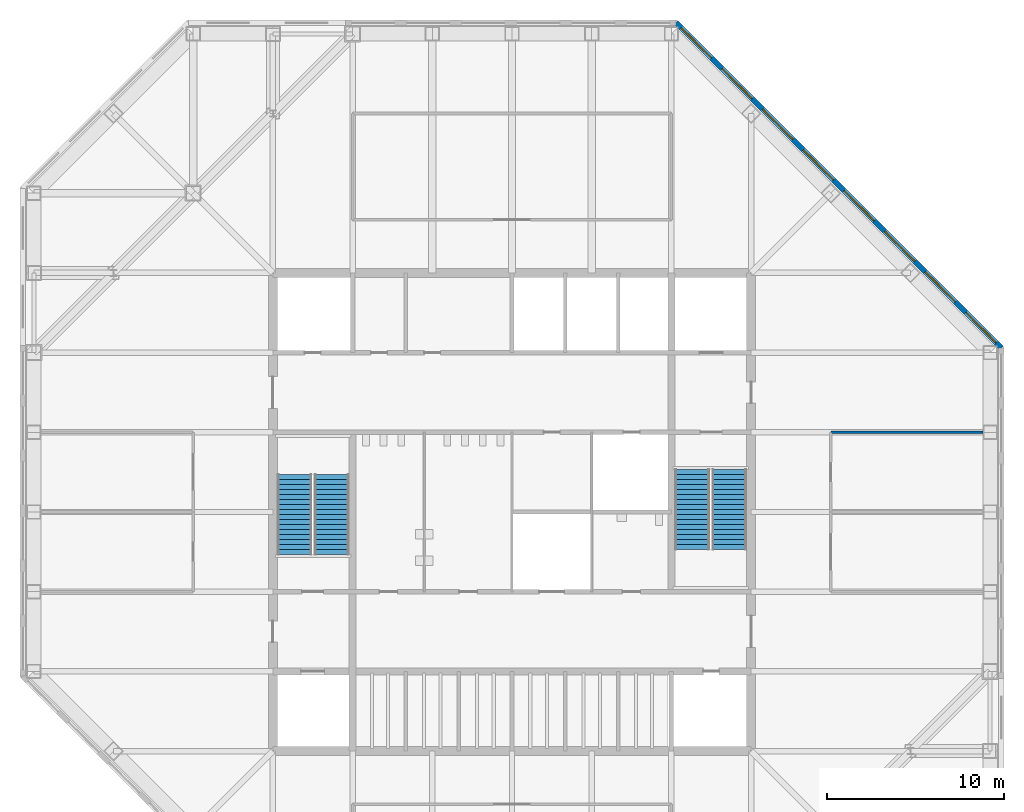
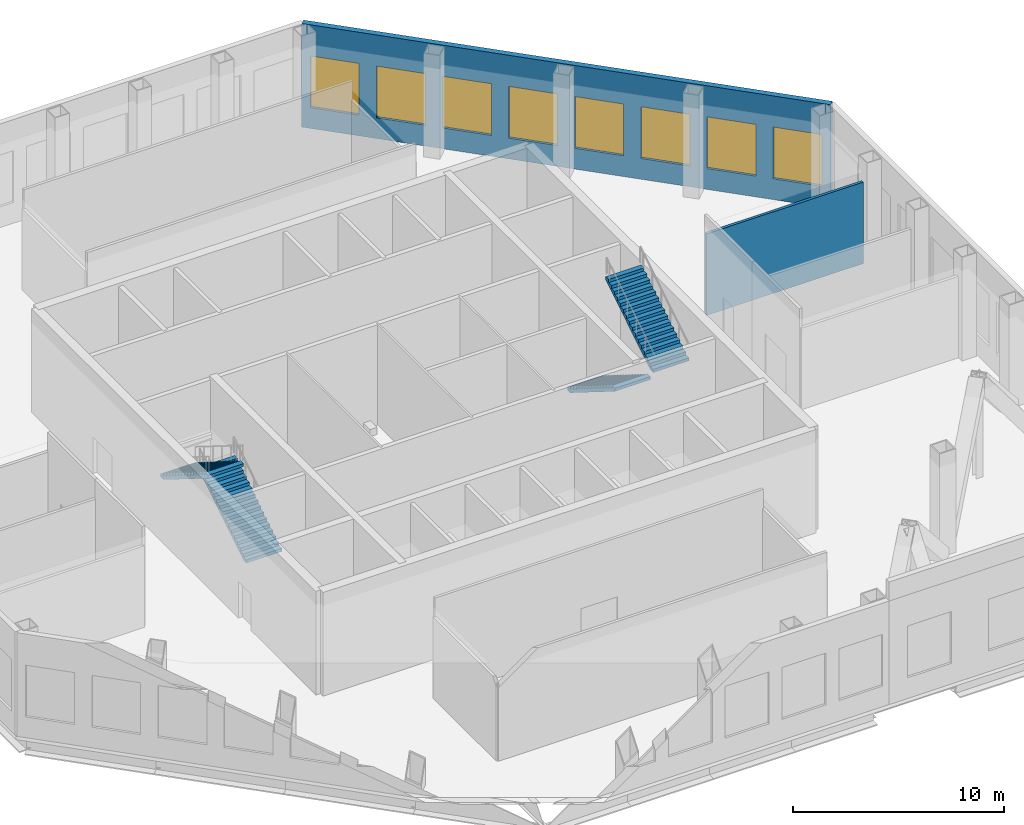
# One storey, part 8 of 10: 8 windows, 4 stair flights, 2 walls, 8 openings, 2 elements without a shape of their own.
"""IFC4 building model written with IfcOpenShell, lengths in metres."""

from ifc_helpers import new_model, si_unit, direction, frame, frame_2d, origin, place, context, subcontext, project, spatial, polyline, rectangle, outline, extrude, material, layer, layer_set, type_object, element, fill, aggregate, save


model = new_model("IFC4")

# Units and contexts
model_context = context("Model", 3, precision=1e-05, world=origin(), true_north=direction((0.0, 1.0)))
body_context = subcontext(model_context, "Body", "Model", "MODEL_VIEW")
ifc_project = project(units=[si_unit("LENGTHUNIT", "METRE"), si_unit("AREAUNIT", "SQUARE_METRE"), si_unit("VOLUMEUNIT", "CUBIC_METRE"), si_unit("PLANEANGLEUNIT", "RADIAN"), si_unit("MASSUNIT", "GRAM", prefix="KILO")], contexts=[model_context])

# Site, building, storey
site_placement = place(None, origin())
site = spatial("IfcSite", under=ifc_project, at=site_placement, CompositionType="ELEMENT")
building_placement = place(site_placement, origin())
building = spatial("IfcBuilding", under=site, at=building_placement, Name="Corais Broadcast Tower", CompositionType="ELEMENT")
storey_placement = place(building_placement, frame((0.0, 0.0, 199.60009765625)))
storey = spatial("IfcBuildingStorey", under=building, at=storey_placement, Name="L46", CompositionType="ELEMENT", Elevation=199.60009765625)

# Wall
ifc_material_1 = material(Name="Gypsum board on steel studs", Category="steel")
ifc_layer_1 = layer(ifc_material_1, 0.14990234375)
ifc_layer_set_1 = layer_set([ifc_layer_1], Name="Gypsum board on steel studs")
wall_type_1 = type_object("IfcWallType", Name="Partition 150", PredefinedType="PARTITIONING", material=ifc_layer_set_1)
wall_1_placement = place(storey_placement, frame((53.590087890625, 31.5, 0.0), z_axis=(0.0, 0.0, 1.0), x_axis=(-1.0, 0.0, 0.0)))
element("IfcWall", 1, at=wall_1_placement, inside=storey, type_object=wall_type_1, Name="IW3 partition L46", PredefinedType="PARTITIONING", context=body_context, shape_type="SweptSolid", body=[
    extrude(rectangle(XDim=8.590087890625, YDim=0.14990234375, at=frame_2d((4.294921875, 0.0))), origin(), (0.0, 0.0, 1.0), 4.719970703125),
])

# Wall, openings, windows
ifc_material_2 = material(Name="Precast concrete C40/50", Category="concrete")
ifc_layer_2 = layer(ifc_material_2, 0.300048828125)
ifc_layer_set_2 = layer_set([ifc_layer_2], Name="Precast concrete C40/50")
wall_type_2 = type_object("IfcWallType", Name="Stone-faced precast wall 300", PredefinedType="SOLIDWALL", material=ifc_layer_set_2)
wall_2_placement = place(storey_placement, frame((36.260986328125, 54.6298828125, 0.0), z_axis=(0.0, 0.0, 1.0), x_axis=(0.707106781187, -0.707106781187, 0.0)))
wall_2 = element("IfcWall", 2, at=wall_2_placement, inside=storey, type_object=wall_type_2, Name="EW1 external wall L46 5", PredefinedType="SOLIDWALL", context=body_context, shape_type="SweptSolid", body=[
    extrude(rectangle(XDim=25.9775390625, YDim=0.300048828125, at=frame_2d((12.98876953125, 0.0))), origin(), (0.0, 0.0, 1.0), 6.0),
])
opening_1_placement = place(wall_2_placement, frame((0.423583984375, 0.0, 1.199951171875)))
opening_1 = element("IfcOpeningElement", 3, at=opening_1_placement, cuts=wall_2, Name="Opening LV1", PredefinedType="OPENING", context=body_context, shape_type="SweptSolid", body=[
    extrude(rectangle(XDim=2.39990234375, YDim=3.0, at=frame_2d((1.199951171875, 1.5))), frame((0.0, 0.159912109375, 0.0), z_axis=(0.0, -1.0, 0.0), x_axis=(1.0, 0.0, 0.0)), (0.0, 0.0, 1.0), 0.320068359375),
])
opening_2_placement = place(wall_2_placement, frame((3.6708984375, 0.0, 1.199951171875)))
opening_2 = element("IfcOpeningElement", 4, at=opening_2_placement, cuts=wall_2, Name="Opening LV1", PredefinedType="OPENING", context=body_context, shape_type="SweptSolid", body=[
    extrude(rectangle(XDim=2.39990234375, YDim=3.0, at=frame_2d((1.199951171875, 1.5))), frame((0.0, 0.159912109375, 0.0), z_axis=(0.0, -1.0, 0.0), x_axis=(1.0, 0.0, 0.0)), (0.0, 0.0, 1.0), 0.320068359375),
])
opening_3_placement = place(wall_2_placement, frame((6.91796875, 0.0, 1.199951171875)))
opening_3 = element("IfcOpeningElement", 5, at=opening_3_placement, cuts=wall_2, Name="Opening LV1", PredefinedType="OPENING", context=body_context, shape_type="SweptSolid", body=[
    extrude(rectangle(XDim=2.39990234375, YDim=3.0, at=frame_2d((1.199951171875, 1.5))), frame((0.0, 0.159912109375, 0.0), z_axis=(0.0, -1.0, 0.0), x_axis=(1.0, 0.0, 0.0)), (0.0, 0.0, 1.0), 0.320068359375),
])
opening_4_placement = place(wall_2_placement, frame((10.165283203125, 0.0, 1.199951171875)))
opening_4 = element("IfcOpeningElement", 6, at=opening_4_placement, cuts=wall_2, Name="Opening LV1", PredefinedType="OPENING", context=body_context, shape_type="SweptSolid", body=[
    extrude(rectangle(XDim=2.39990234375, YDim=3.0, at=frame_2d((1.199951171875, 1.5))), frame((0.0, 0.159912109375, 0.0), z_axis=(0.0, -1.0, 0.0), x_axis=(1.0, 0.0, 0.0)), (0.0, 0.0, 1.0), 0.320068359375),
])
opening_5_placement = place(wall_2_placement, frame((13.412353515625, 0.0, 1.199951171875)))
opening_5 = element("IfcOpeningElement", 7, at=opening_5_placement, cuts=wall_2, Name="Opening LV1", PredefinedType="OPENING", context=body_context, shape_type="SweptSolid", body=[
    extrude(rectangle(XDim=2.39990234375, YDim=3.0, at=frame_2d((1.199951171875, 1.5))), frame((0.0, 0.159912109375, 0.0), z_axis=(0.0, -1.0, 0.0), x_axis=(1.0, 0.0, 0.0)), (0.0, 0.0, 1.0), 0.320068359375),
])
opening_6_placement = place(wall_2_placement, frame((16.65966796875, 0.0, 1.199951171875)))
opening_6 = element("IfcOpeningElement", 8, at=opening_6_placement, cuts=wall_2, Name="Opening LV1", PredefinedType="OPENING", context=body_context, shape_type="SweptSolid", body=[
    extrude(rectangle(XDim=2.39990234375, YDim=3.0, at=frame_2d((1.199951171875, 1.5))), frame((0.0, 0.159912109375, 0.0), z_axis=(0.0, -1.0, 0.0), x_axis=(1.0, 0.0, 0.0)), (0.0, 0.0, 1.0), 0.320068359375),
])
opening_7_placement = place(wall_2_placement, frame((19.906982421875, 0.0, 1.199951171875)))
opening_7 = element("IfcOpeningElement", 9, at=opening_7_placement, cuts=wall_2, Name="Opening LV1", PredefinedType="OPENING", context=body_context, shape_type="SweptSolid", body=[
    extrude(rectangle(XDim=2.39990234375, YDim=3.0, at=frame_2d((1.199951171875, 1.5))), frame((0.0, 0.159912109375, 0.0), z_axis=(0.0, -1.0, 0.0), x_axis=(1.0, 0.0, 0.0)), (0.0, 0.0, 1.0), 0.320068359375),
])
opening_8_placement = place(wall_2_placement, frame((23.154052734375, 0.0, 1.199951171875)))
opening_8 = element("IfcOpeningElement", 10, at=opening_8_placement, cuts=wall_2, Name="Opening LV1", PredefinedType="OPENING", context=body_context, shape_type="SweptSolid", body=[
    extrude(rectangle(XDim=2.39990234375, YDim=3.0, at=frame_2d((1.199951171875, 1.5))), frame((0.0, 0.159912109375, 0.0), z_axis=(0.0, -1.0, 0.0), x_axis=(1.0, 0.0, 0.0)), (0.0, 0.0, 1.0), 0.320068359375),
])
ifc_material_3 = material(Name="Aluminium frame", Category="aluminium")
window_type = type_object("IfcWindowType", Name="Plant louvre 2400x3000", PartitioningType="SINGLE_PANEL", PredefinedType="USERDEFINED", material=ifc_material_3)
window_1_placement = place(opening_1_placement, origin())
window_1 = element("IfcWindow", 11, at=window_1_placement, inside=storey, type_object=window_type, Name="LV1 window L46", ObjectType="LOUVRE", OverallHeight=3.0, OverallWidth=2.39990234375, PartitioningType="SINGLE_PANEL", PredefinedType="USERDEFINED", context=body_context, shape_type="SweptSolid", body=[
    extrude(rectangle(XDim=2.39990234375, YDim=3.0, at=frame_2d((1.199951171875, 1.5))), frame((0.0, 0.030029296875, 0.0), z_axis=(0.0, -1.0, 0.0), x_axis=(1.0, 0.0, 0.0)), (0.0, 0.0, 1.0), 0.06005859375),
])
fill(opening_1, window_1)
window_2_placement = place(opening_2_placement, origin())
window_2 = element("IfcWindow", 12, at=window_2_placement, inside=storey, type_object=window_type, Name="LV1 window L46", ObjectType="LOUVRE", OverallHeight=3.0, OverallWidth=2.39990234375, PartitioningType="SINGLE_PANEL", PredefinedType="USERDEFINED", context=body_context, shape_type="SweptSolid", body=[
    extrude(rectangle(XDim=2.39990234375, YDim=3.0, at=frame_2d((1.199951171875, 1.5))), frame((0.0, 0.030029296875, 0.0), z_axis=(0.0, -1.0, 0.0), x_axis=(1.0, 0.0, 0.0)), (0.0, 0.0, 1.0), 0.06005859375),
])
fill(opening_2, window_2)
window_3_placement = place(opening_3_placement, origin())
window_3 = element("IfcWindow", 13, at=window_3_placement, inside=storey, type_object=window_type, Name="LV1 window L46", ObjectType="LOUVRE", OverallHeight=3.0, OverallWidth=2.39990234375, PartitioningType="SINGLE_PANEL", PredefinedType="USERDEFINED", context=body_context, shape_type="SweptSolid", body=[
    extrude(rectangle(XDim=2.39990234375, YDim=3.0, at=frame_2d((1.199951171875, 1.5))), frame((0.0, 0.030029296875, 0.0), z_axis=(0.0, -1.0, 0.0), x_axis=(1.0, 0.0, 0.0)), (0.0, 0.0, 1.0), 0.06005859375),
])
fill(opening_3, window_3)
window_4_placement = place(opening_4_placement, origin())
window_4 = element("IfcWindow", 14, at=window_4_placement, inside=storey, type_object=window_type, Name="LV1 window L46", ObjectType="LOUVRE", OverallHeight=3.0, OverallWidth=2.39990234375, PartitioningType="SINGLE_PANEL", PredefinedType="USERDEFINED", context=body_context, shape_type="SweptSolid", body=[
    extrude(rectangle(XDim=2.39990234375, YDim=3.0, at=frame_2d((1.199951171875, 1.5))), frame((0.0, 0.030029296875, 0.0), z_axis=(0.0, -1.0, 0.0), x_axis=(1.0, 0.0, 0.0)), (0.0, 0.0, 1.0), 0.06005859375),
])
fill(opening_4, window_4)
window_5_placement = place(opening_5_placement, origin())
window_5 = element("IfcWindow", 15, at=window_5_placement, inside=storey, type_object=window_type, Name="LV1 window L46", ObjectType="LOUVRE", OverallHeight=3.0, OverallWidth=2.39990234375, PartitioningType="SINGLE_PANEL", PredefinedType="USERDEFINED", context=body_context, shape_type="SweptSolid", body=[
    extrude(rectangle(XDim=2.39990234375, YDim=3.0, at=frame_2d((1.199951171875, 1.5))), frame((0.0, 0.030029296875, 0.0), z_axis=(0.0, -1.0, 0.0), x_axis=(1.0, 0.0, 0.0)), (0.0, 0.0, 1.0), 0.06005859375),
])
fill(opening_5, window_5)
window_6_placement = place(opening_6_placement, origin())
window_6 = element("IfcWindow", 16, at=window_6_placement, inside=storey, type_object=window_type, Name="LV1 window L46", ObjectType="LOUVRE", OverallHeight=3.0, OverallWidth=2.39990234375, PartitioningType="SINGLE_PANEL", PredefinedType="USERDEFINED", context=body_context, shape_type="SweptSolid", body=[
    extrude(rectangle(XDim=2.39990234375, YDim=3.0, at=frame_2d((1.199951171875, 1.5))), frame((0.0, 0.030029296875, 0.0), z_axis=(0.0, -1.0, 0.0), x_axis=(1.0, 0.0, 0.0)), (0.0, 0.0, 1.0), 0.06005859375),
])
fill(opening_6, window_6)
window_7_placement = place(opening_7_placement, origin())
window_7 = element("IfcWindow", 17, at=window_7_placement, inside=storey, type_object=window_type, Name="LV1 window L46", ObjectType="LOUVRE", OverallHeight=3.0, OverallWidth=2.39990234375, PartitioningType="SINGLE_PANEL", PredefinedType="USERDEFINED", context=body_context, shape_type="SweptSolid", body=[
    extrude(rectangle(XDim=2.39990234375, YDim=3.0, at=frame_2d((1.199951171875, 1.5))), frame((0.0, 0.030029296875, 0.0), z_axis=(0.0, -1.0, 0.0), x_axis=(1.0, 0.0, 0.0)), (0.0, 0.0, 1.0), 0.06005859375),
])
fill(opening_7, window_7)
window_8_placement = place(opening_8_placement, origin())
window_8 = element("IfcWindow", 18, at=window_8_placement, inside=storey, type_object=window_type, Name="LV1 window L46", ObjectType="LOUVRE", OverallHeight=3.0, OverallWidth=2.39990234375, PartitioningType="SINGLE_PANEL", PredefinedType="USERDEFINED", context=body_context, shape_type="SweptSolid", body=[
    extrude(rectangle(XDim=2.39990234375, YDim=3.0, at=frame_2d((1.199951171875, 1.5))), frame((0.0, 0.030029296875, 0.0), z_axis=(0.0, -1.0, 0.0), x_axis=(1.0, 0.0, 0.0)), (0.0, 0.0, 1.0), 0.06005859375),
])
fill(opening_8, window_8)

# Stair, stair flights
ifc_material_4 = material(Name="Concrete C30/37", Category="concrete")
stair_type = type_object("IfcStairType", Name="Half-turn stair 6000", PredefinedType="HALF_TURN_STAIR", material=ifc_material_4)
stair_1_placement = place(storey_placement, origin())
stair_1 = element("IfcStair", 19, at=stair_1_placement, inside=storey, type_object=stair_type, Name="Stair A L46", PredefinedType="HALF_TURN_STAIR")
ifc_material_5 = material(Name="Concrete C30/37", Category="concrete")
stair_flight_type = type_object("IfcStairFlightType", Name="Stair flight 6000", PredefinedType="STRAIGHT", material=ifc_material_5)
stair_flight_1_placement = place(storey_placement, frame((16.824951171875, 24.60009765625, 0.0), z_axis=(0.0, 0.0, 1.0), x_axis=(0.0, 1.0, 0.0)))
stair_flight_1 = element("IfcStairFlight", 20, at=stair_flight_1_placement, type_object=stair_flight_type, Name="STA flight 1", NumberOfRisers=17, NumberOfTreads=16, PredefinedType="STRAIGHT", RiserHeight=0.176470588, TreadLength=0.282, context=body_context, shape_type="SweptSolid", body=[
    extrude(outline(polyline([(0.0, 0.0), (0.0, 0.176513671875), (0.281982421875, 0.176513671875), (0.281982421875, 0.35302734375), (0.56396484375, 0.35302734375), (0.56396484375, 0.529296875), (0.845947265625, 0.529296875), (0.845947265625, 0.705810546875), (1.1279296875, 0.705810546875), (1.1279296875, 0.88232421875), (1.409912109375, 0.88232421875), (1.409912109375, 1.058837890625), (1.69189453125, 1.058837890625), (1.69189453125, 1.2353515625), (1.97412109375, 1.2353515625), (1.97412109375, 1.411865234375), (2.256103515625, 1.411865234375), (2.256103515625, 1.588134765625), (2.5380859375, 1.588134765625), (2.5380859375, 1.7646484375), (2.820068359375, 1.7646484375), (2.820068359375, 1.941162109375), (3.10205078125, 1.941162109375), (3.10205078125, 2.11767578125), (3.384033203125, 2.11767578125), (3.384033203125, 2.294189453125), (3.666015625, 2.294189453125), (3.666015625, 2.470703125), (3.947998046875, 2.470703125), (3.947998046875, 2.64697265625), (4.22998046875, 2.64697265625), (4.22998046875, 2.823486328125), (4.511962890625, 2.823486328125), (4.511962890625, 3.0), (4.511962890625, 2.646728515625), (0.282470703125, 0.0), (0.0, 0.0)])), frame((0.0, 0.97509765625, 0.0), z_axis=(0.0, -1.0, 0.0), x_axis=(1.0, 0.0, 0.0)), (0.0, 0.0, 1.0), 1.949951171875),
])
stair_flight_2_placement = place(storey_placement, frame((14.72509765625, 29.112060546875, 3.0), z_axis=(0.0, 0.0, 1.0), x_axis=(0.0, -1.0, 0.0)))
stair_flight_2 = element("IfcStairFlight", 21, at=stair_flight_2_placement, type_object=stair_flight_type, Name="STA flight 2", NumberOfRisers=17, NumberOfTreads=16, PredefinedType="STRAIGHT", RiserHeight=0.176470588, TreadLength=0.282, context=body_context, shape_type="SweptSolid", body=[
    extrude(outline(polyline([(0.0, 0.0), (0.0, 0.176513671875), (0.281982421875, 0.176513671875), (0.281982421875, 0.35302734375), (0.56396484375, 0.35302734375), (0.56396484375, 0.529296875), (0.845947265625, 0.529296875), (0.845947265625, 0.705810546875), (1.1279296875, 0.705810546875), (1.1279296875, 0.88232421875), (1.409912109375, 0.88232421875), (1.409912109375, 1.058837890625), (1.69189453125, 1.058837890625), (1.69189453125, 1.2353515625), (1.97412109375, 1.2353515625), (1.97412109375, 1.411865234375), (2.256103515625, 1.411865234375), (2.256103515625, 1.588134765625), (2.5380859375, 1.588134765625), (2.5380859375, 1.7646484375), (2.820068359375, 1.7646484375), (2.820068359375, 1.941162109375), (3.10205078125, 1.941162109375), (3.10205078125, 2.11767578125), (3.384033203125, 2.11767578125), (3.384033203125, 2.294189453125), (3.666015625, 2.294189453125), (3.666015625, 2.470703125), (3.947998046875, 2.470703125), (3.947998046875, 2.64697265625), (4.22998046875, 2.64697265625), (4.22998046875, 2.823486328125), (4.511962890625, 2.823486328125), (4.511962890625, 3.0), (4.511962890625, 2.646728515625), (0.282470703125, 0.0), (0.0, 0.0)])), frame((0.0, 0.97509765625, 0.0), z_axis=(0.0, -1.0, 0.0), x_axis=(1.0, 0.0, 0.0)), (0.0, 0.0, 1.0), 1.949951171875),
])
aggregate(stair_1, [stair_flight_1, stair_flight_2])

stair_2_placement = place(storey_placement, origin())
stair_2 = element("IfcStair", 22, at=stair_2_placement, inside=storey, type_object=stair_type, Name="Stair B L46", PredefinedType="HALF_TURN_STAIR")
stair_flight_3_placement = place(storey_placement, frame((37.175048828125, 29.39990234375, 0.0), z_axis=(0.0, 0.0, 1.0), x_axis=(0.0, -1.0, 0.0)))
stair_flight_3 = element("IfcStairFlight", 23, at=stair_flight_3_placement, type_object=stair_flight_type, Name="STB flight 1", NumberOfRisers=17, NumberOfTreads=16, PredefinedType="STRAIGHT", RiserHeight=0.176470588, TreadLength=0.282, context=body_context, shape_type="SweptSolid", body=[
    extrude(outline(polyline([(0.0, 0.0), (0.0, 0.176513671875), (0.281982421875, 0.176513671875), (0.281982421875, 0.35302734375), (0.56396484375, 0.35302734375), (0.56396484375, 0.529296875), (0.845947265625, 0.529296875), (0.845947265625, 0.705810546875), (1.1279296875, 0.705810546875), (1.1279296875, 0.88232421875), (1.409912109375, 0.88232421875), (1.409912109375, 1.058837890625), (1.69189453125, 1.058837890625), (1.69189453125, 1.2353515625), (1.97412109375, 1.2353515625), (1.97412109375, 1.411865234375), (2.256103515625, 1.411865234375), (2.256103515625, 1.588134765625), (2.5380859375, 1.588134765625), (2.5380859375, 1.7646484375), (2.820068359375, 1.7646484375), (2.820068359375, 1.941162109375), (3.10205078125, 1.941162109375), (3.10205078125, 2.11767578125), (3.384033203125, 2.11767578125), (3.384033203125, 2.294189453125), (3.666015625, 2.294189453125), (3.666015625, 2.470703125), (3.947998046875, 2.470703125), (3.947998046875, 2.64697265625), (4.22998046875, 2.64697265625), (4.22998046875, 2.823486328125), (4.511962890625, 2.823486328125), (4.511962890625, 3.0), (4.511962890625, 2.646728515625), (0.282470703125, 0.0), (0.0, 0.0)])), frame((0.0, 0.97509765625, 0.0), z_axis=(0.0, -1.0, 0.0), x_axis=(1.0, 0.0, 0.0)), (0.0, 0.0, 1.0), 1.949951171875),
])
stair_flight_4_placement = place(storey_placement, frame((39.27490234375, 24.887939453125, 3.0), z_axis=(0.0, 0.0, 1.0), x_axis=(0.0, 1.0, 0.0)))
stair_flight_4 = element("IfcStairFlight", 24, at=stair_flight_4_placement, type_object=stair_flight_type, Name="STB flight 2", NumberOfRisers=17, NumberOfTreads=16, PredefinedType="STRAIGHT", RiserHeight=0.176470588, TreadLength=0.282, context=body_context, shape_type="SweptSolid", body=[
    extrude(outline(polyline([(0.0, 0.0), (0.0, 0.176513671875), (0.281982421875, 0.176513671875), (0.281982421875, 0.35302734375), (0.56396484375, 0.35302734375), (0.56396484375, 0.529296875), (0.845947265625, 0.529296875), (0.845947265625, 0.705810546875), (1.1279296875, 0.705810546875), (1.1279296875, 0.88232421875), (1.409912109375, 0.88232421875), (1.409912109375, 1.058837890625), (1.69189453125, 1.058837890625), (1.69189453125, 1.2353515625), (1.97412109375, 1.2353515625), (1.97412109375, 1.411865234375), (2.256103515625, 1.411865234375), (2.256103515625, 1.588134765625), (2.5380859375, 1.588134765625), (2.5380859375, 1.7646484375), (2.820068359375, 1.7646484375), (2.820068359375, 1.941162109375), (3.10205078125, 1.941162109375), (3.10205078125, 2.11767578125), (3.384033203125, 2.11767578125), (3.384033203125, 2.294189453125), (3.666015625, 2.294189453125), (3.666015625, 2.470703125), (3.947998046875, 2.470703125), (3.947998046875, 2.64697265625), (4.22998046875, 2.64697265625), (4.22998046875, 2.823486328125), (4.511962890625, 2.823486328125), (4.511962890625, 3.0), (4.511962890625, 2.646728515625), (0.282470703125, 0.0), (0.0, 0.0)])), frame((0.0, 0.97509765625, 0.0), z_axis=(0.0, -1.0, 0.0), x_axis=(1.0, 0.0, 0.0)), (0.0, 0.0, 1.0), 1.949951171875),
])
aggregate(stair_2, [stair_flight_3, stair_flight_4])

save(model, "model.ifc")
